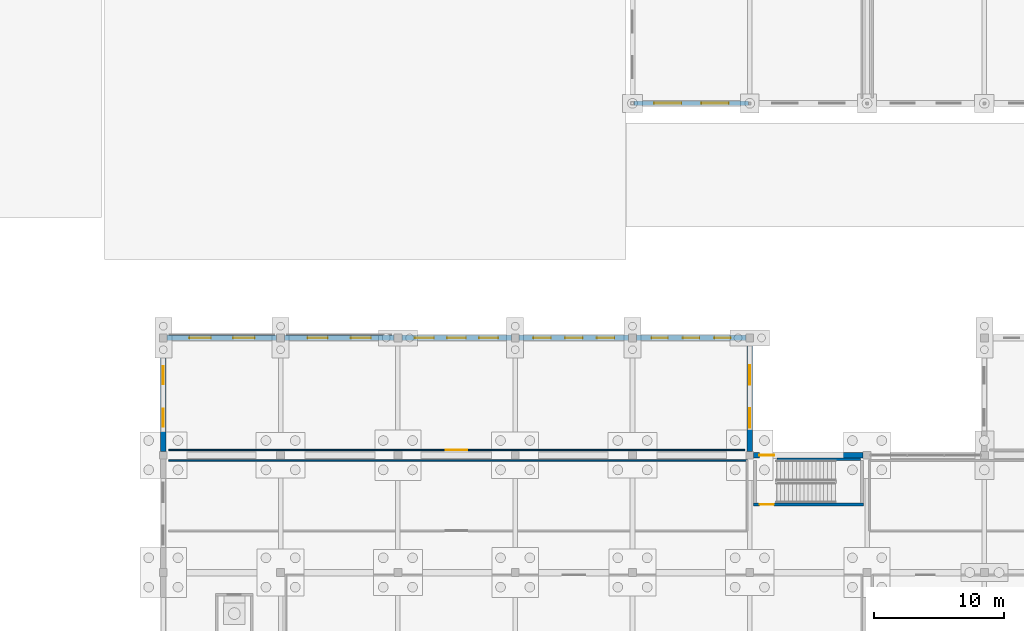
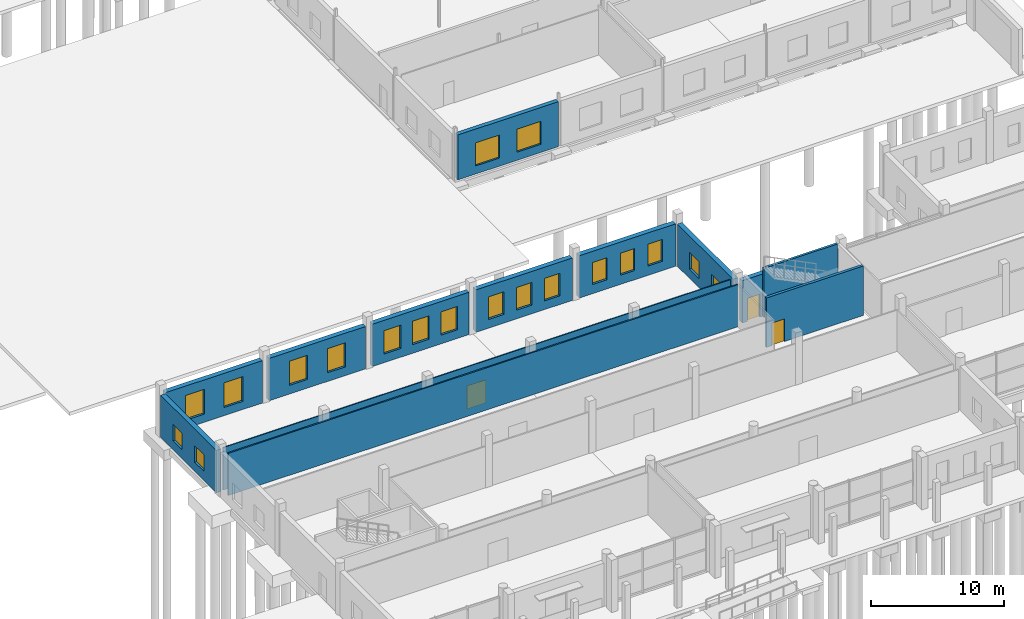
# One storey, part 76 of 112: 19 windows, 13 walls, 3 doors, 22 openings.
"""IFC4 building model written with IfcOpenShell, lengths in metres."""

from ifc_helpers import new_model, si_unit, direction, frame, frame_2d, origin, place, context, subcontext, project, spatial, rectangle, extrude, material, layer, layer_set, type_object, element, fill, save


model = new_model("IFC4")

# Units and contexts
model_context = context("Model", 3, precision=1e-05, world=origin(), true_north=direction((0.0, 1.0)))
body_context = subcontext(model_context, "Body", "Model", "MODEL_VIEW")
ifc_project = project(units=[si_unit("LENGTHUNIT", "METRE"), si_unit("AREAUNIT", "SQUARE_METRE"), si_unit("VOLUMEUNIT", "CUBIC_METRE"), si_unit("PLANEANGLEUNIT", "RADIAN"), si_unit("MASSUNIT", "GRAM", prefix="KILO")], contexts=[model_context])

# Site, building, storey
site_placement = place(None, origin())
site = spatial("IfcSite", under=ifc_project, at=site_placement, CompositionType="ELEMENT")
building_placement = place(site_placement, origin())
building = spatial("IfcBuilding", under=site, at=building_placement, Name="Tharagai Park Tramway Depot", CompositionType="ELEMENT")
storey_placement = place(building_placement, origin())
storey = spatial("IfcBuildingStorey", under=building, at=storey_placement, Name="L00", CompositionType="ELEMENT", Elevation=0.0)

# Wall, openings, windows
ifc_material_1 = material(Name="Concrete M35", Category="concrete")
ifc_layer_1 = layer(ifc_material_1, 0.360107421875)
ifc_layer_set_1 = layer_set([ifc_layer_1], Name="Concrete M35")
wall_type_1 = type_object("IfcWallType", Name="EW-03", PredefinedType="SOLIDWALL", material=ifc_layer_set_1)
wall_1_placement = place(storey_placement, frame((171.131103515625, 54.0, 0.0), z_axis=(0.0, 0.0, 1.0), x_axis=(1.0, 0.0, 0.0)))
wall_1 = element("IfcWall", 1, at=wall_1_placement, inside=storey, type_object=wall_type_1, Name="L00 V6 Exterior Masonry Wall EW-03", PredefinedType="SOLIDWALL", context=body_context, shape_type="SweptSolid", body=[
    extrude(rectangle(XDim=8.77294921875, YDim=0.360107421875, at=frame_2d((4.386474609375, 0.0))), origin(), (0.0, 0.0, 1.0), 4.14208984375),
])
opening_1_placement = place(wall_1_placement, frame((1.52392578125, 0.0, 0.75)))
opening_1 = element("IfcOpeningElement", 2, at=opening_1_placement, cuts=wall_1, Name="Opening WN-39", PredefinedType="OPENING", context=body_context, shape_type="SweptSolid", body=[
    extrude(rectangle(XDim=2.10009765625, YDim=2.1201171875, at=frame_2d((1.050048828125, 1.06005859375))), frame((0.0, 0.18994140625, 0.0), z_axis=(0.0, -1.0, 0.0), x_axis=(1.0, 0.0, 0.0)), (0.0, 0.0, 1.0), 0.380126953125),
])
opening_2_placement = place(wall_1_placement, frame((5.14892578125, 0.0, 0.75)))
opening_2 = element("IfcOpeningElement", 3, at=opening_2_placement, cuts=wall_1, Name="Opening WN-39", PredefinedType="OPENING", context=body_context, shape_type="SweptSolid", body=[
    extrude(rectangle(XDim=2.10009765625, YDim=2.1201171875, at=frame_2d((1.050048828125, 1.06005859375))), frame((0.0, 0.18994140625, 0.0), z_axis=(0.0, -1.0, 0.0), x_axis=(1.0, 0.0, 0.0)), (0.0, 0.0, 1.0), 0.380126953125),
])
ifc_material_2 = material(Name="Laminated solar-control glass", Category="glass")
window_type_1 = type_object("IfcWindowType", Name="WN-39", PartitioningType="SINGLE_PANEL", PredefinedType="WINDOW", material=ifc_material_2)
window_1_placement = place(opening_1_placement, origin())
window_1 = element("IfcWindow", 4, at=window_1_placement, inside=storey, type_object=window_type_1, Name="L00 V6 Gothic Lancet Window WN-39", OverallHeight=2.1201171875, OverallWidth=2.10009765625, PartitioningType="SINGLE_PANEL", PredefinedType="WINDOW", context=body_context, shape_type="SweptSolid", body=[
    extrude(rectangle(XDim=2.10009765625, YDim=2.1201171875, at=frame_2d((1.050048828125, 1.06005859375))), frame((0.0, 0.030029296875, 0.0), z_axis=(0.0, -1.0, 0.0), x_axis=(1.0, 0.0, 0.0)), (0.0, 0.0, 1.0), 0.06005859375),
])
fill(opening_1, window_1)
window_2_placement = place(opening_2_placement, origin())
window_2 = element("IfcWindow", 5, at=window_2_placement, inside=storey, type_object=window_type_1, Name="L00 V6 Gothic Lancet Window WN-39", OverallHeight=2.1201171875, OverallWidth=2.10009765625, PartitioningType="SINGLE_PANEL", PredefinedType="WINDOW", context=body_context, shape_type="SweptSolid", body=[
    extrude(rectangle(XDim=2.10009765625, YDim=2.1201171875, at=frame_2d((1.050048828125, 1.06005859375))), frame((0.0, 0.030029296875, 0.0), z_axis=(0.0, -1.0, 0.0), x_axis=(1.0, 0.0, 0.0)), (0.0, 0.0, 1.0), 0.06005859375),
])
fill(opening_2, window_2)

# Wall, opening, door
ifc_material_3 = material(Name="Charnockite stone", Category="masonry")
ifc_layer_2 = layer(ifc_material_3, 0.419921875)
ifc_layer_set_2 = layer_set([ifc_layer_2], Name="Charnockite stone")
wall_type_2 = type_object("IfcWallType", Name="EW-07", PredefinedType="SOLIDWALL", material=ifc_layer_set_2)
wall_2_placement = place(storey_placement, frame((180.298095703125, 27.0, 0.0), z_axis=(0.0, 0.0, 1.0), x_axis=(1.0, 0.0, 0.0)))
wall_2 = element("IfcWall", 6, at=wall_2_placement, inside=storey, type_object=wall_type_2, Name="L00 V5 Exterior Masonry Wall EW-07", PredefinedType="SOLIDWALL", context=body_context, shape_type="SweptSolid", body=[
    extrude(rectangle(XDim=8.40380859375, YDim=0.419921875, at=frame_2d((4.201904296875, 0.0))), origin(), (0.0, 0.0, 1.0), 3.902099609375),
])
opening_3_placement = place(wall_2_placement, frame((0.44189453125, 0.0, 0.0)))
opening_3 = element("IfcOpeningElement", 7, at=opening_3_placement, cuts=wall_2, Name="Opening ED-08", PredefinedType="OPENING", context=body_context, shape_type="SweptSolid", body=[
    extrude(rectangle(XDim=1.1201171875, YDim=2.139892578125, at=frame_2d((0.56005859375, 1.06982421875))), frame((0.0, 0.219970703125, 0.0), z_axis=(0.0, -1.0, 0.0), x_axis=(1.0, 0.0, 0.0)), (0.0, 0.0, 1.0), 0.43994140625),
])
ifc_material_4 = material(Name="Anodised aluminium", Category="aluminium")
door_type_1 = type_object("IfcDoorType", Name="ED-08", OperationType="NOTDEFINED", PredefinedType="DOOR", material=ifc_material_4)
door_1_placement = place(opening_3_placement, origin())
door_1 = element("IfcDoor", 8, at=door_1_placement, inside=storey, type_object=door_type_1, Name="Core C7 Final Exit Door", OperationType="SINGLE_SWING_LEFT", OverallHeight=2.139892578125, OverallWidth=1.1201171875, PredefinedType="DOOR", context=body_context, shape_type="SweptSolid", body=[
    extrude(rectangle(XDim=1.1201171875, YDim=2.139892578125, at=frame_2d((0.56005859375, 1.06982421875))), frame((0.0, 0.02490234375, 0.0), z_axis=(0.0, -1.0, 0.0), x_axis=(1.0, 0.0, 0.0)), (0.0, 0.0, 1.0), 0.050048828125),
])
fill(opening_3, door_1)

# Wall, openings, windows
wall_3_placement = place(storey_placement, frame((135.298095703125, 36.0, 0.0), z_axis=(0.0, 0.0, 1.0), x_axis=(1.0, 0.0, 0.0)))
wall_3 = element("IfcWall", 9, at=wall_3_placement, inside=storey, type_object=wall_type_2, Name="L00 V5 Exterior Masonry Wall EW-07", PredefinedType="SOLIDWALL", context=body_context, shape_type="SweptSolid", body=[
    extrude(rectangle(XDim=8.40380859375, YDim=0.419921875, at=frame_2d((4.201904296875, 0.0))), origin(), (0.0, 0.0, 1.0), 3.902099609375),
])
opening_4_placement = place(wall_3_placement, frame((1.700927734375, 0.0, 0.75)))
opening_4 = element("IfcOpeningElement", 10, at=opening_4_placement, cuts=wall_3, Name="Opening WN-11", PredefinedType="OPENING", context=body_context, shape_type="SweptSolid", body=[
    extrude(rectangle(XDim=1.64990234375, YDim=2.280029296875, at=frame_2d((0.824951171875, 1.14013671875))), frame((0.0, 0.219970703125, 0.0), z_axis=(0.0, -1.0, 0.0), x_axis=(1.0, 0.0, 0.0)), (0.0, 0.0, 1.0), 0.43994140625),
])
opening_5_placement = place(wall_3_placement, frame((5.052978515625, 0.0, 0.75)))
opening_5 = element("IfcOpeningElement", 11, at=opening_5_placement, cuts=wall_3, Name="Opening WN-11", PredefinedType="OPENING", context=body_context, shape_type="SweptSolid", body=[
    extrude(rectangle(XDim=1.64990234375, YDim=2.280029296875, at=frame_2d((0.824951171875, 1.14013671875))), frame((0.0, 0.219970703125, 0.0), z_axis=(0.0, -1.0, 0.0), x_axis=(1.0, 0.0, 0.0)), (0.0, 0.0, 1.0), 0.43994140625),
])
window_type_2 = type_object("IfcWindowType", Name="WN-11", PartitioningType="SINGLE_PANEL", PredefinedType="WINDOW", material=ifc_material_2)
window_3_placement = place(opening_4_placement, origin())
window_3 = element("IfcWindow", 12, at=window_3_placement, inside=storey, type_object=window_type_2, Name="L00 V5 Gothic Lancet Window WN-11", OverallHeight=2.280029296875, OverallWidth=1.64990234375, PartitioningType="SINGLE_PANEL", PredefinedType="WINDOW", context=body_context, shape_type="SweptSolid", body=[
    extrude(rectangle(XDim=1.64990234375, YDim=2.280029296875, at=frame_2d((0.824951171875, 1.14013671875))), frame((0.0, 0.030029296875, 0.0), z_axis=(0.0, -1.0, 0.0), x_axis=(1.0, 0.0, 0.0)), (0.0, 0.0, 1.0), 0.06005859375),
])
fill(opening_4, window_3)
window_4_placement = place(opening_5_placement, origin())
window_4 = element("IfcWindow", 13, at=window_4_placement, inside=storey, type_object=window_type_2, Name="L00 V5 Gothic Lancet Window WN-11", OverallHeight=2.280029296875, OverallWidth=1.64990234375, PartitioningType="SINGLE_PANEL", PredefinedType="WINDOW", context=body_context, shape_type="SweptSolid", body=[
    extrude(rectangle(XDim=1.64990234375, YDim=2.280029296875, at=frame_2d((0.824951171875, 1.14013671875))), frame((0.0, 0.030029296875, 0.0), z_axis=(0.0, -1.0, 0.0), x_axis=(1.0, 0.0, 0.0)), (0.0, 0.0, 1.0), 0.06005859375),
])
fill(opening_5, window_4)

wall_4_placement = place(storey_placement, frame((144.298095703125, 36.0, 0.0), z_axis=(0.0, 0.0, 1.0), x_axis=(1.0, 0.0, 0.0)))
wall_4 = element("IfcWall", 14, at=wall_4_placement, inside=storey, type_object=wall_type_2, Name="L00 V5 Exterior Masonry Wall EW-07", PredefinedType="SOLIDWALL", context=body_context, shape_type="SweptSolid", body=[
    extrude(rectangle(XDim=8.40380859375, YDim=0.419921875, at=frame_2d((4.201904296875, 0.0))), origin(), (0.0, 0.0, 1.0), 3.902099609375),
])
opening_6_placement = place(wall_4_placement, frame((1.76806640625, 0.0, 0.800048828125)))
opening_6 = element("IfcOpeningElement", 15, at=opening_6_placement, cuts=wall_4, Name="Opening WN-17", PredefinedType="OPENING", context=body_context, shape_type="SweptSolid", body=[
    extrude(rectangle(XDim=1.550048828125, YDim=2.219970703125, at=frame_2d((0.77490234375, 1.10986328125))), frame((0.0, 0.219970703125, 0.0), z_axis=(0.0, -1.0, 0.0), x_axis=(1.0, 0.0, 0.0)), (0.0, 0.0, 1.0), 0.43994140625),
])
opening_7_placement = place(wall_4_placement, frame((5.0859375, 0.0, 0.800048828125)))
opening_7 = element("IfcOpeningElement", 16, at=opening_7_placement, cuts=wall_4, Name="Opening WN-17", PredefinedType="OPENING", context=body_context, shape_type="SweptSolid", body=[
    extrude(rectangle(XDim=1.550048828125, YDim=2.219970703125, at=frame_2d((0.77490234375, 1.10986328125))), frame((0.0, 0.219970703125, 0.0), z_axis=(0.0, -1.0, 0.0), x_axis=(1.0, 0.0, 0.0)), (0.0, 0.0, 1.0), 0.43994140625),
])
window_type_3 = type_object("IfcWindowType", Name="WN-17", PartitioningType="SINGLE_PANEL", PredefinedType="WINDOW", material=ifc_material_2)
window_5_placement = place(opening_6_placement, origin())
window_5 = element("IfcWindow", 17, at=window_5_placement, inside=storey, type_object=window_type_3, Name="L00 V5 Gothic Lancet Window WN-17", OverallHeight=2.219970703125, OverallWidth=1.550048828125, PartitioningType="SINGLE_PANEL", PredefinedType="WINDOW", context=body_context, shape_type="SweptSolid", body=[
    extrude(rectangle(XDim=1.550048828125, YDim=2.219970703125, at=frame_2d((0.77490234375, 1.10986328125))), frame((0.0, 0.030029296875, 0.0), z_axis=(0.0, -1.0, 0.0), x_axis=(1.0, 0.0, 0.0)), (0.0, 0.0, 1.0), 0.06005859375),
])
fill(opening_6, window_5)
window_6_placement = place(opening_7_placement, origin())
window_6 = element("IfcWindow", 18, at=window_6_placement, inside=storey, type_object=window_type_3, Name="L00 V5 Gothic Lancet Window WN-17", OverallHeight=2.219970703125, OverallWidth=1.550048828125, PartitioningType="SINGLE_PANEL", PredefinedType="WINDOW", context=body_context, shape_type="SweptSolid", body=[
    extrude(rectangle(XDim=1.550048828125, YDim=2.219970703125, at=frame_2d((0.77490234375, 1.10986328125))), frame((0.0, 0.030029296875, 0.0), z_axis=(0.0, -1.0, 0.0), x_axis=(1.0, 0.0, 0.0)), (0.0, 0.0, 1.0), 0.06005859375),
])
fill(opening_7, window_6)

wall_5_placement = place(storey_placement, frame((153.298095703125, 36.0, 0.0), z_axis=(0.0, 0.0, 1.0), x_axis=(1.0, 0.0, 0.0)))
wall_5 = element("IfcWall", 19, at=wall_5_placement, inside=storey, type_object=wall_type_2, Name="L00 V5 Exterior Masonry Wall EW-07", PredefinedType="SOLIDWALL", context=body_context, shape_type="SweptSolid", body=[
    extrude(rectangle(XDim=8.40380859375, YDim=0.419921875, at=frame_2d((4.201904296875, 0.0))), origin(), (0.0, 0.0, 1.0), 3.902099609375),
])
opening_8_placement = place(wall_5_placement, frame((1.012939453125, 0.0, 0.800048828125)))
opening_8 = element("IfcOpeningElement", 20, at=opening_8_placement, cuts=wall_5, Name="Opening WN-37", PredefinedType="OPENING", context=body_context, shape_type="SweptSolid", body=[
    extrude(rectangle(XDim=1.449951171875, YDim=2.14990234375, at=frame_2d((0.72509765625, 1.074951171875))), frame((0.0, 0.219970703125, 0.0), z_axis=(0.0, -1.0, 0.0), x_axis=(1.0, 0.0, 0.0)), (0.0, 0.0, 1.0), 0.43994140625),
])
opening_9_placement = place(wall_5_placement, frame((3.47705078125, 0.0, 0.800048828125)))
opening_9 = element("IfcOpeningElement", 21, at=opening_9_placement, cuts=wall_5, Name="Opening WN-37", PredefinedType="OPENING", context=body_context, shape_type="SweptSolid", body=[
    extrude(rectangle(XDim=1.449951171875, YDim=2.14990234375, at=frame_2d((0.72509765625, 1.074951171875))), frame((0.0, 0.219970703125, 0.0), z_axis=(0.0, -1.0, 0.0), x_axis=(1.0, 0.0, 0.0)), (0.0, 0.0, 1.0), 0.43994140625),
])
opening_10_placement = place(wall_5_placement, frame((5.93994140625, 0.0, 0.800048828125)))
opening_10 = element("IfcOpeningElement", 22, at=opening_10_placement, cuts=wall_5, Name="Opening WN-37", PredefinedType="OPENING", context=body_context, shape_type="SweptSolid", body=[
    extrude(rectangle(XDim=1.449951171875, YDim=2.14990234375, at=frame_2d((0.72509765625, 1.074951171875))), frame((0.0, 0.219970703125, 0.0), z_axis=(0.0, -1.0, 0.0), x_axis=(1.0, 0.0, 0.0)), (0.0, 0.0, 1.0), 0.43994140625),
])
window_type_4 = type_object("IfcWindowType", Name="WN-37", PartitioningType="SINGLE_PANEL", PredefinedType="WINDOW", material=ifc_material_2)
window_7_placement = place(opening_8_placement, origin())
window_7 = element("IfcWindow", 23, at=window_7_placement, inside=storey, type_object=window_type_4, Name="L00 V5 Gothic Lancet Window WN-37", OverallHeight=2.14990234375, OverallWidth=1.449951171875, PartitioningType="SINGLE_PANEL", PredefinedType="WINDOW", context=body_context, shape_type="SweptSolid", body=[
    extrude(rectangle(XDim=1.449951171875, YDim=2.14990234375, at=frame_2d((0.72509765625, 1.074951171875))), frame((0.0, 0.030029296875, 0.0), z_axis=(0.0, -1.0, 0.0), x_axis=(1.0, 0.0, 0.0)), (0.0, 0.0, 1.0), 0.06005859375),
])
fill(opening_8, window_7)
window_8_placement = place(opening_9_placement, origin())
window_8 = element("IfcWindow", 24, at=window_8_placement, inside=storey, type_object=window_type_4, Name="L00 V5 Gothic Lancet Window WN-37", OverallHeight=2.14990234375, OverallWidth=1.449951171875, PartitioningType="SINGLE_PANEL", PredefinedType="WINDOW", context=body_context, shape_type="SweptSolid", body=[
    extrude(rectangle(XDim=1.449951171875, YDim=2.14990234375, at=frame_2d((0.72509765625, 1.074951171875))), frame((0.0, 0.030029296875, 0.0), z_axis=(0.0, -1.0, 0.0), x_axis=(1.0, 0.0, 0.0)), (0.0, 0.0, 1.0), 0.06005859375),
])
fill(opening_9, window_8)
window_9_placement = place(opening_10_placement, origin())
window_9 = element("IfcWindow", 25, at=window_9_placement, inside=storey, type_object=window_type_4, Name="L00 V5 Gothic Lancet Window WN-37", OverallHeight=2.14990234375, OverallWidth=1.449951171875, PartitioningType="SINGLE_PANEL", PredefinedType="WINDOW", context=body_context, shape_type="SweptSolid", body=[
    extrude(rectangle(XDim=1.449951171875, YDim=2.14990234375, at=frame_2d((0.72509765625, 1.074951171875))), frame((0.0, 0.030029296875, 0.0), z_axis=(0.0, -1.0, 0.0), x_axis=(1.0, 0.0, 0.0)), (0.0, 0.0, 1.0), 0.06005859375),
])
fill(opening_10, window_9)

wall_6_placement = place(storey_placement, frame((162.298095703125, 36.0, 0.0), z_axis=(0.0, 0.0, 1.0), x_axis=(1.0, 0.0, 0.0)))
wall_6 = element("IfcWall", 26, at=wall_6_placement, inside=storey, type_object=wall_type_2, Name="L00 V5 Exterior Masonry Wall EW-07", PredefinedType="SOLIDWALL", context=body_context, shape_type="SweptSolid", body=[
    extrude(rectangle(XDim=8.40380859375, YDim=0.419921875, at=frame_2d((4.201904296875, 0.0))), origin(), (0.0, 0.0, 1.0), 3.902099609375),
])
opening_11_placement = place(wall_6_placement, frame((1.087890625, 0.0, 0.800048828125)))
opening_11 = element("IfcOpeningElement", 27, at=opening_11_placement, cuts=wall_6, Name="Opening WN-35", PredefinedType="OPENING", context=body_context, shape_type="SweptSolid", body=[
    extrude(rectangle(XDim=1.35009765625, YDim=2.080078125, at=frame_2d((0.675048828125, 1.0400390625))), frame((0.0, 0.219970703125, 0.0), z_axis=(0.0, -1.0, 0.0), x_axis=(1.0, 0.0, 0.0)), (0.0, 0.0, 1.0), 0.43994140625),
])
opening_12_placement = place(wall_6_placement, frame((3.527099609375, 0.0, 0.800048828125)))
opening_12 = element("IfcOpeningElement", 28, at=opening_12_placement, cuts=wall_6, Name="Opening WN-35", PredefinedType="OPENING", context=body_context, shape_type="SweptSolid", body=[
    extrude(rectangle(XDim=1.35009765625, YDim=2.080078125, at=frame_2d((0.675048828125, 1.0400390625))), frame((0.0, 0.219970703125, 0.0), z_axis=(0.0, -1.0, 0.0), x_axis=(1.0, 0.0, 0.0)), (0.0, 0.0, 1.0), 0.43994140625),
])
opening_13_placement = place(wall_6_placement, frame((5.965087890625, 0.0, 0.800048828125)))
opening_13 = element("IfcOpeningElement", 29, at=opening_13_placement, cuts=wall_6, Name="Opening WN-35", PredefinedType="OPENING", context=body_context, shape_type="SweptSolid", body=[
    extrude(rectangle(XDim=1.35009765625, YDim=2.080078125, at=frame_2d((0.675048828125, 1.0400390625))), frame((0.0, 0.219970703125, 0.0), z_axis=(0.0, -1.0, 0.0), x_axis=(1.0, 0.0, 0.0)), (0.0, 0.0, 1.0), 0.43994140625),
])
window_type_5 = type_object("IfcWindowType", Name="WN-35", PartitioningType="SINGLE_PANEL", PredefinedType="WINDOW", material=ifc_material_2)
window_10_placement = place(opening_11_placement, origin())
window_10 = element("IfcWindow", 30, at=window_10_placement, inside=storey, type_object=window_type_5, Name="L00 V5 Gothic Lancet Window WN-35", OverallHeight=2.080078125, OverallWidth=1.35009765625, PartitioningType="SINGLE_PANEL", PredefinedType="WINDOW", context=body_context, shape_type="SweptSolid", body=[
    extrude(rectangle(XDim=1.35009765625, YDim=2.080078125, at=frame_2d((0.675048828125, 1.0400390625))), frame((0.0, 0.030029296875, 0.0), z_axis=(0.0, -1.0, 0.0), x_axis=(1.0, 0.0, 0.0)), (0.0, 0.0, 1.0), 0.06005859375),
])
fill(opening_11, window_10)
window_11_placement = place(opening_12_placement, origin())
window_11 = element("IfcWindow", 31, at=window_11_placement, inside=storey, type_object=window_type_5, Name="L00 V5 Gothic Lancet Window WN-35", OverallHeight=2.080078125, OverallWidth=1.35009765625, PartitioningType="SINGLE_PANEL", PredefinedType="WINDOW", context=body_context, shape_type="SweptSolid", body=[
    extrude(rectangle(XDim=1.35009765625, YDim=2.080078125, at=frame_2d((0.675048828125, 1.0400390625))), frame((0.0, 0.030029296875, 0.0), z_axis=(0.0, -1.0, 0.0), x_axis=(1.0, 0.0, 0.0)), (0.0, 0.0, 1.0), 0.06005859375),
])
fill(opening_12, window_11)
window_12_placement = place(opening_13_placement, origin())
window_12 = element("IfcWindow", 32, at=window_12_placement, inside=storey, type_object=window_type_5, Name="L00 V5 Gothic Lancet Window WN-35", OverallHeight=2.080078125, OverallWidth=1.35009765625, PartitioningType="SINGLE_PANEL", PredefinedType="WINDOW", context=body_context, shape_type="SweptSolid", body=[
    extrude(rectangle(XDim=1.35009765625, YDim=2.080078125, at=frame_2d((0.675048828125, 1.0400390625))), frame((0.0, 0.030029296875, 0.0), z_axis=(0.0, -1.0, 0.0), x_axis=(1.0, 0.0, 0.0)), (0.0, 0.0, 1.0), 0.06005859375),
])
fill(opening_13, window_12)

wall_7_placement = place(storey_placement, frame((171.298095703125, 36.0, 0.0), z_axis=(0.0, 0.0, 1.0), x_axis=(1.0, 0.0, 0.0)))
wall_7 = element("IfcWall", 33, at=wall_7_placement, inside=storey, type_object=wall_type_2, Name="L00 V5 Exterior Masonry Wall EW-07", PredefinedType="SOLIDWALL", context=body_context, shape_type="SweptSolid", body=[
    extrude(rectangle(XDim=8.40380859375, YDim=0.419921875, at=frame_2d((4.201904296875, 0.0))), origin(), (0.0, 0.0, 1.0), 3.902099609375),
])
opening_14_placement = place(wall_7_placement, frame((1.1630859375, 0.0, 0.85009765625)))
opening_14 = element("IfcOpeningElement", 34, at=opening_14_placement, cuts=wall_7, Name="Opening WN-53", PredefinedType="OPENING", context=body_context, shape_type="SweptSolid", body=[
    extrude(rectangle(XDim=1.25, YDim=2.02001953125, at=frame_2d((0.625, 1.010009765625))), frame((0.0, 0.219970703125, 0.0), z_axis=(0.0, -1.0, 0.0), x_axis=(1.0, 0.0, 0.0)), (0.0, 0.0, 1.0), 0.43994140625),
])
opening_15_placement = place(wall_7_placement, frame((3.576904296875, 0.0, 0.85009765625)))
opening_15 = element("IfcOpeningElement", 35, at=opening_15_placement, cuts=wall_7, Name="Opening WN-53", PredefinedType="OPENING", context=body_context, shape_type="SweptSolid", body=[
    extrude(rectangle(XDim=1.25, YDim=2.02001953125, at=frame_2d((0.625, 1.010009765625))), frame((0.0, 0.219970703125, 0.0), z_axis=(0.0, -1.0, 0.0), x_axis=(1.0, 0.0, 0.0)), (0.0, 0.0, 1.0), 0.43994140625),
])
opening_16_placement = place(wall_7_placement, frame((5.989990234375, 0.0, 0.85009765625)))
opening_16 = element("IfcOpeningElement", 36, at=opening_16_placement, cuts=wall_7, Name="Opening WN-53", PredefinedType="OPENING", context=body_context, shape_type="SweptSolid", body=[
    extrude(rectangle(XDim=1.25, YDim=2.02001953125, at=frame_2d((0.625, 1.010009765625))), frame((0.0, 0.219970703125, 0.0), z_axis=(0.0, -1.0, 0.0), x_axis=(1.0, 0.0, 0.0)), (0.0, 0.0, 1.0), 0.43994140625),
])
window_type_6 = type_object("IfcWindowType", Name="WN-53", PartitioningType="SINGLE_PANEL", PredefinedType="WINDOW", material=ifc_material_2)
window_13_placement = place(opening_14_placement, origin())
window_13 = element("IfcWindow", 37, at=window_13_placement, inside=storey, type_object=window_type_6, Name="L00 V5 Gothic Lancet Window WN-53", OverallHeight=2.02001953125, OverallWidth=1.25, PartitioningType="SINGLE_PANEL", PredefinedType="WINDOW", context=body_context, shape_type="SweptSolid", body=[
    extrude(rectangle(XDim=1.25, YDim=2.02001953125, at=frame_2d((0.625, 1.010009765625))), frame((0.0, 0.030029296875, 0.0), z_axis=(0.0, -1.0, 0.0), x_axis=(1.0, 0.0, 0.0)), (0.0, 0.0, 1.0), 0.06005859375),
])
fill(opening_14, window_13)
window_14_placement = place(opening_15_placement, origin())
window_14 = element("IfcWindow", 38, at=window_14_placement, inside=storey, type_object=window_type_6, Name="L00 V5 Gothic Lancet Window WN-53", OverallHeight=2.02001953125, OverallWidth=1.25, PartitioningType="SINGLE_PANEL", PredefinedType="WINDOW", context=body_context, shape_type="SweptSolid", body=[
    extrude(rectangle(XDim=1.25, YDim=2.02001953125, at=frame_2d((0.625, 1.010009765625))), frame((0.0, 0.030029296875, 0.0), z_axis=(0.0, -1.0, 0.0), x_axis=(1.0, 0.0, 0.0)), (0.0, 0.0, 1.0), 0.06005859375),
])
fill(opening_15, window_14)
window_15_placement = place(opening_16_placement, origin())
window_15 = element("IfcWindow", 39, at=window_15_placement, inside=storey, type_object=window_type_6, Name="L00 V5 Gothic Lancet Window WN-53", OverallHeight=2.02001953125, OverallWidth=1.25, PartitioningType="SINGLE_PANEL", PredefinedType="WINDOW", context=body_context, shape_type="SweptSolid", body=[
    extrude(rectangle(XDim=1.25, YDim=2.02001953125, at=frame_2d((0.625, 1.010009765625))), frame((0.0, 0.030029296875, 0.0), z_axis=(0.0, -1.0, 0.0), x_axis=(1.0, 0.0, 0.0)), (0.0, 0.0, 1.0), 0.06005859375),
])
fill(opening_16, window_15)

wall_8_placement = place(storey_placement, frame((135.0, 27.298095703125, 0.0), z_axis=(0.0, 0.0, 1.0), x_axis=(0.0, 1.0, 0.0)))
wall_8 = element("IfcWall", 40, at=wall_8_placement, inside=storey, type_object=wall_type_2, Name="L00 V5 Exterior Masonry Wall EW-07", PredefinedType="SOLIDWALL", context=body_context, shape_type="SweptSolid", body=[
    extrude(rectangle(XDim=8.40380859375, YDim=0.419921875, at=frame_2d((4.201904296875, 0.0))), origin(), (0.0, 0.0, 1.0), 3.902099609375),
])
opening_17_placement = place(wall_8_placement, frame((1.881103515625, 0.0, 0.85009765625)))
opening_17 = element("IfcOpeningElement", 41, at=opening_17_placement, cuts=wall_8, Name="Opening WN-12", PredefinedType="OPENING", context=body_context, shape_type="SweptSolid", body=[
    extrude(rectangle(XDim=1.3798828125, YDim=1.52001953125, at=frame_2d((0.68994140625, 0.760009765625))), frame((0.0, 0.219970703125, 0.0), z_axis=(0.0, -1.0, 0.0), x_axis=(1.0, 0.0, 0.0)), (0.0, 0.0, 1.0), 0.43994140625),
])
opening_18_placement = place(wall_8_placement, frame((5.14306640625, 0.0, 0.85009765625)))
opening_18 = element("IfcOpeningElement", 42, at=opening_18_placement, cuts=wall_8, Name="Opening WN-12", PredefinedType="OPENING", context=body_context, shape_type="SweptSolid", body=[
    extrude(rectangle(XDim=1.3798828125, YDim=1.52001953125, at=frame_2d((0.68994140625, 0.760009765625))), frame((0.0, 0.219970703125, 0.0), z_axis=(0.0, -1.0, 0.0), x_axis=(1.0, 0.0, 0.0)), (0.0, 0.0, 1.0), 0.43994140625),
])
window_type_7 = type_object("IfcWindowType", Name="WN-12", PartitioningType="SINGLE_PANEL", PredefinedType="WINDOW", material=ifc_material_2)
window_16_placement = place(opening_17_placement, origin())
window_16 = element("IfcWindow", 43, at=window_16_placement, inside=storey, type_object=window_type_7, Name="L00 V5 Side Lancet Window WN-12", OverallHeight=1.52001953125, OverallWidth=1.3798828125, PartitioningType="SINGLE_PANEL", PredefinedType="WINDOW", context=body_context, shape_type="SweptSolid", body=[
    extrude(rectangle(XDim=1.3798828125, YDim=1.52001953125, at=frame_2d((0.68994140625, 0.760009765625))), frame((0.0, 0.030029296875, 0.0), z_axis=(0.0, -1.0, 0.0), x_axis=(1.0, 0.0, 0.0)), (0.0, 0.0, 1.0), 0.06005859375),
])
fill(opening_17, window_16)
window_17_placement = place(opening_18_placement, origin())
window_17 = element("IfcWindow", 44, at=window_17_placement, inside=storey, type_object=window_type_7, Name="L00 V5 Side Lancet Window WN-12", OverallHeight=1.52001953125, OverallWidth=1.3798828125, PartitioningType="SINGLE_PANEL", PredefinedType="WINDOW", context=body_context, shape_type="SweptSolid", body=[
    extrude(rectangle(XDim=1.3798828125, YDim=1.52001953125, at=frame_2d((0.68994140625, 0.760009765625))), frame((0.0, 0.030029296875, 0.0), z_axis=(0.0, -1.0, 0.0), x_axis=(1.0, 0.0, 0.0)), (0.0, 0.0, 1.0), 0.06005859375),
])
fill(opening_18, window_17)

wall_9_placement = place(storey_placement, frame((180.0, 27.298095703125, 0.0), z_axis=(0.0, 0.0, 1.0), x_axis=(0.0, 1.0, 0.0)))
wall_9 = element("IfcWall", 45, at=wall_9_placement, inside=storey, type_object=wall_type_2, Name="L00 V5 Exterior Masonry Wall EW-07", PredefinedType="SOLIDWALL", context=body_context, shape_type="SweptSolid", body=[
    extrude(rectangle(XDim=8.40380859375, YDim=0.419921875, at=frame_2d((4.201904296875, 0.0))), origin(), (0.0, 0.0, 1.0), 3.902099609375),
])
opening_19_placement = place(wall_9_placement, frame((1.81494140625, 0.0, 0.85009765625)))
opening_19 = element("IfcOpeningElement", 46, at=opening_19_placement, cuts=wall_9, Name="Opening WN-03", PredefinedType="OPENING", context=body_context, shape_type="SweptSolid", body=[
    extrude(rectangle(XDim=1.47998046875, YDim=1.56005859375, at=frame_2d((0.739990234375, 0.780029296875))), frame((0.0, 0.219970703125, 0.0), z_axis=(0.0, -1.0, 0.0), x_axis=(1.0, 0.0, 0.0)), (0.0, 0.0, 1.0), 0.43994140625),
])
opening_20_placement = place(wall_9_placement, frame((5.10888671875, 0.0, 0.85009765625)))
opening_20 = element("IfcOpeningElement", 47, at=opening_20_placement, cuts=wall_9, Name="Opening WN-03", PredefinedType="OPENING", context=body_context, shape_type="SweptSolid", body=[
    extrude(rectangle(XDim=1.47998046875, YDim=1.56005859375, at=frame_2d((0.739990234375, 0.780029296875))), frame((0.0, 0.219970703125, 0.0), z_axis=(0.0, -1.0, 0.0), x_axis=(1.0, 0.0, 0.0)), (0.0, 0.0, 1.0), 0.43994140625),
])
window_type_8 = type_object("IfcWindowType", Name="WN-03", PartitioningType="SINGLE_PANEL", PredefinedType="WINDOW", material=ifc_material_2)
window_18_placement = place(opening_19_placement, origin())
window_18 = element("IfcWindow", 48, at=window_18_placement, inside=storey, type_object=window_type_8, Name="L00 V5 Side Lancet Window WN-03", OverallHeight=1.56005859375, OverallWidth=1.47998046875, PartitioningType="SINGLE_PANEL", PredefinedType="WINDOW", context=body_context, shape_type="SweptSolid", body=[
    extrude(rectangle(XDim=1.47998046875, YDim=1.56005859375, at=frame_2d((0.739990234375, 0.780029296875))), frame((0.0, 0.030029296875, 0.0), z_axis=(0.0, -1.0, 0.0), x_axis=(1.0, 0.0, 0.0)), (0.0, 0.0, 1.0), 0.06005859375),
])
fill(opening_19, window_18)
window_19_placement = place(opening_20_placement, origin())
window_19 = element("IfcWindow", 49, at=window_19_placement, inside=storey, type_object=window_type_8, Name="L00 V5 Side Lancet Window WN-03", OverallHeight=1.56005859375, OverallWidth=1.47998046875, PartitioningType="SINGLE_PANEL", PredefinedType="WINDOW", context=body_context, shape_type="SweptSolid", body=[
    extrude(rectangle(XDim=1.47998046875, YDim=1.56005859375, at=frame_2d((0.739990234375, 0.780029296875))), frame((0.0, 0.030029296875, 0.0), z_axis=(0.0, -1.0, 0.0), x_axis=(1.0, 0.0, 0.0)), (0.0, 0.0, 1.0), 0.06005859375),
])
fill(opening_20, window_19)

# Wall
ifc_material_5 = material(Name="Gypsum board", Category="gypsum")
ifc_layer_3 = layer(ifc_material_5, 0.1201171875)
ifc_layer_set_3 = layer_set([ifc_layer_3], Name="Gypsum board")
wall_type_3 = type_object("IfcWallType", Name="IW-03", PredefinedType="PARTITIONING", material=ifc_layer_set_3)
wall_10_placement = place(storey_placement, frame((135.39990234375, 26.60009765625, 0.0), z_axis=(0.0, 0.0, 1.0), x_axis=(1.0, 0.0, 0.0)))
element("IfcWall", 50, at=wall_10_placement, inside=storey, type_object=wall_type_3, Name="Heritage Madras Tramcar Display Hall Partition North", PredefinedType="PARTITIONING", context=body_context, shape_type="SweptSolid", body=[
    extrude(rectangle(XDim=44.400146484375, YDim=0.1201171875, at=frame_2d((22.2001953125, 0.0))), origin(), (0.0, 0.0, 1.0), 3.885009765625),
])

# Wall, opening, door
ifc_layer_4 = layer(ifc_material_2, 0.090087890625)
ifc_layer_set_4 = layer_set([ifc_layer_4], Name="Laminated solar-control glass")
wall_type_4 = type_object("IfcWallType", Name="IW-04", PredefinedType="MOVABLE", material=ifc_layer_set_4)
wall_11_placement = place(storey_placement, frame((135.39990234375, 27.39990234375, 0.0), z_axis=(0.0, 0.0, 1.0), x_axis=(1.0, 0.0, 0.0)))
wall_11 = element("IfcWall", 51, at=wall_11_placement, inside=storey, type_object=wall_type_4, Name="Civic Mobility Courtyard Gallery Partition South", PredefinedType="MOVABLE", context=body_context, shape_type="SweptSolid", body=[
    extrude(rectangle(XDim=44.2001953125, YDim=0.090087890625, at=frame_2d((22.10009765625, 0.0))), origin(), (0.0, 0.0, 1.0), 3.905029296875),
])
opening_21_placement = place(wall_11_placement, frame((21.260009765625, 0.0, 0.0)))
opening_21 = element("IfcOpeningElement", 52, at=opening_21_placement, cuts=wall_11, Name="Opening ID-09", PredefinedType="OPENING", context=body_context, shape_type="SweptSolid", body=[
    extrude(rectangle(XDim=1.679931640625, YDim=2.139892578125, at=frame_2d((0.83984375, 1.06982421875))), frame((0.0, 0.054931640625, 0.0), z_axis=(0.0, -1.0, 0.0), x_axis=(1.0, 0.0, 0.0)), (0.0, 0.0, 1.0), 0.110107421875),
])
door_type_2 = type_object("IfcDoorType", Name="ID-09", OperationType="DOUBLE_SWING_LEFT", PredefinedType="DOOR", material=ifc_material_4)
door_2_placement = place(opening_21_placement, frame((1.679931640625, 0.0, 0.0), z_axis=(0.0, 0.0, 1.0), x_axis=(-1.0, 0.0, 0.0)))
door_2 = element("IfcDoor", 53, at=door_2_placement, inside=storey, type_object=door_type_2, Name="Civic Mobility Courtyard Gallery Door", OperationType="DOUBLE_SWING_LEFT", OverallHeight=2.139892578125, OverallWidth=1.679931640625, PredefinedType="DOOR", context=body_context, shape_type="SweptSolid", body=[
    extrude(rectangle(XDim=1.679931640625, YDim=2.139892578125, at=frame_2d((0.83984375, 1.06982421875))), frame((0.0, 0.02490234375, 0.0), z_axis=(0.0, -1.0, 0.0), x_axis=(1.0, 0.0, 0.0)), (0.0, 0.0, 1.0), 0.050048828125),
])
fill(opening_21, door_2)

ifc_material_6 = material(Name="Concrete M40", Category="concrete")
ifc_layer_5 = layer(ifc_material_6, 0.239990234375)
ifc_layer_set_5 = layer_set([ifc_layer_5], Name="Concrete M40")
wall_type_5 = type_object("IfcWallType", Name="SW-01", PredefinedType="SHEAR", material=ifc_layer_set_5)
wall_12_placement = place(storey_placement, frame((180.280029296875, 23.22998046875, 0.0), z_axis=(0.0, 0.0, 1.0), x_axis=(1.0, 0.0, 0.0)))
wall_12 = element("IfcWall", 54, at=wall_12_placement, inside=storey, type_object=wall_type_5, Name="Core C7 L00 Shear Wall South", PredefinedType="SHEAR", context=body_context, shape_type="SweptSolid", body=[
    extrude(rectangle(XDim=8.43994140625, YDim=0.239990234375, at=frame_2d((4.219970703125, 0.0))), origin(), (0.0, 0.0, 1.0), 4.550048828125),
])
opening_22_placement = place(wall_12_placement, frame((0.47998046875, 0.0, 0.0)))
opening_22 = element("IfcOpeningElement", 55, at=opening_22_placement, cuts=wall_12, Name="Opening ID-05", PredefinedType="OPENING", context=body_context, shape_type="SweptSolid", body=[
    extrude(rectangle(XDim=1.080078125, YDim=2.080078125, at=frame_2d((0.5400390625, 1.0400390625))), frame((0.0, 0.1298828125, 0.0), z_axis=(0.0, -1.0, 0.0), x_axis=(1.0, 0.0, 0.0)), (0.0, 0.0, 1.0), 0.260009765625),
])
ifc_material_7 = material(Name="Galvanised steel", Category="steel")
door_type_3 = type_object("IfcDoorType", Name="ID-05", OperationType="NOTDEFINED", PredefinedType="DOOR", material=ifc_material_7)
door_3_placement = place(opening_22_placement, frame((1.080078125, 0.0, 0.0), z_axis=(0.0, 0.0, 1.0), x_axis=(-1.0, 0.0, 0.0)))
door_3 = element("IfcDoor", 56, at=door_3_placement, inside=storey, type_object=door_type_3, Name="Stair ST-07 L00 Fire Door", OperationType="SINGLE_SWING_RIGHT", OverallHeight=2.080078125, OverallWidth=1.080078125, PredefinedType="DOOR", context=body_context, shape_type="SweptSolid", body=[
    extrude(rectangle(XDim=1.080078125, YDim=2.080078125, at=frame_2d((0.5400390625, 1.0400390625))), frame((0.0, 0.02490234375, 0.0), z_axis=(0.0, -1.0, 0.0), x_axis=(1.0, 0.0, 0.0)), (0.0, 0.0, 1.0), 0.050048828125),
])
fill(opening_22, door_3)

# Wall
ifc_layer_6 = layer(ifc_material_6, 0.199951171875)
ifc_layer_set_6 = layer_set([ifc_layer_6], Name="Concrete M40")
wall_type_6 = type_object("IfcWallType", Name="SW-02", PredefinedType="SHEAR", material=ifc_layer_set_6)
wall_13_placement = place(storey_placement, frame((182.070068359375, 26.68505859375, 0.0), z_axis=(0.0, 0.0, 1.0), x_axis=(1.0, 0.0, 0.0)))
element("IfcWall", 57, at=wall_13_placement, inside=storey, type_object=wall_type_6, Name="Core C7 L00 Shear Bearing Liner North", PredefinedType="SHEAR", context=body_context, shape_type="SweptSolid", body=[
    extrude(rectangle(XDim=6.409912109375, YDim=0.199951171875, at=frame_2d((3.205078125, 0.0))), origin(), (0.0, 0.0, 1.0), 4.550048828125),
])

save(model, "model.ifc")
